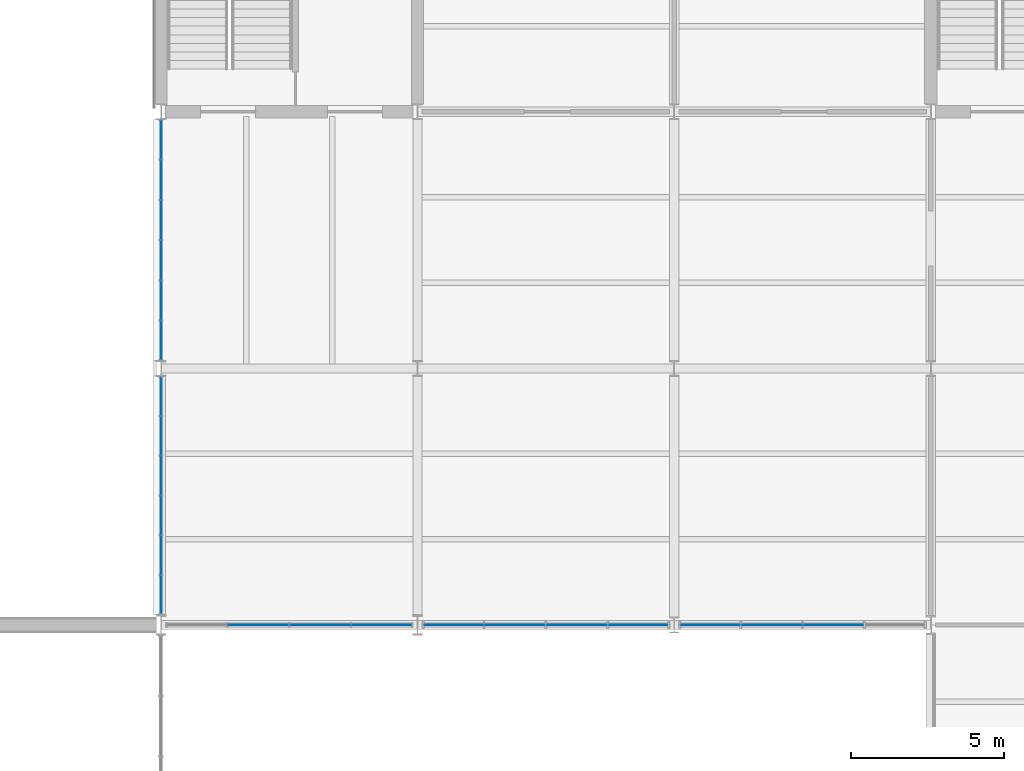
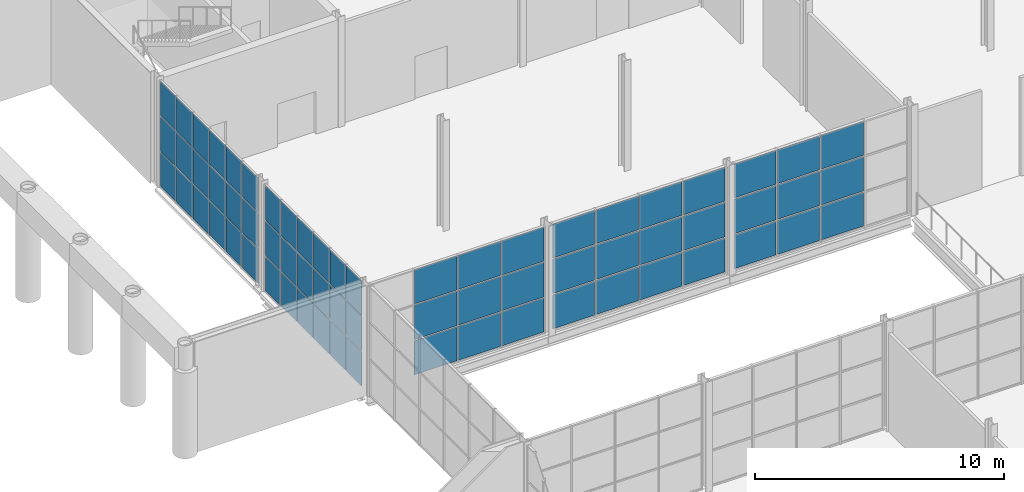
# One storey, part 34 of 64: 66 plates, 5 elements without a shape of their own.
"""IFC4 building model written with IfcOpenShell, lengths in metres."""

from ifc_helpers import new_model, si_unit, direction, frame, origin, origin_2d, place, context, subcontext, project, spatial, rectangle, extrude, material, layer, layer_set, type_object, element, aggregate, save


model = new_model("IFC4")

# Units and contexts
model_context = context("Model", 3, precision=1e-05, world=origin(), true_north=direction((0.0, 1.0)))
body_context = subcontext(model_context, "Body", "Model", "MODEL_VIEW")
ifc_project = project(units=[si_unit("LENGTHUNIT", "METRE"), si_unit("AREAUNIT", "SQUARE_METRE"), si_unit("VOLUMEUNIT", "CUBIC_METRE"), si_unit("PLANEANGLEUNIT", "RADIAN"), si_unit("MASSUNIT", "GRAM", prefix="KILO")], contexts=[model_context])

# Site, building, storey
site_placement = place(None, origin())
site = spatial("IfcSite", under=ifc_project, at=site_placement, CompositionType="ELEMENT")
building_placement = place(site_placement, origin())
building = spatial("IfcBuilding", under=site, at=building_placement, Name="Galleria Vessillo Department Store", CompositionType="ELEMENT")
storey_placement = place(building_placement, frame((0.0, 0.0, 6.0)))
storey = spatial("IfcBuildingStorey", under=building, at=storey_placement, Name="L01", CompositionType="ELEMENT", Elevation=6.0)

# Curtain wall, plates
ifc_material_1 = material(Name="Aluminium and glass curtain wall", Category="aluminium")
ifc_layer_1 = layer(ifc_material_1, 0.1201171875)
ifc_layer_set_1 = layer_set([ifc_layer_1], Name="Aluminium and glass curtain wall")
curtain_wall_type_1 = type_object("IfcCurtainWallType", Name="Shopfront curtain wall CW3 1400 module", PredefinedType="NOTDEFINED", material=ifc_layer_set_1)
curtain_wall_1_placement = place(storey_placement, origin())
curtain_wall_1 = element("IfcCurtainWall", 1, at=curtain_wall_1_placement, inside=storey, type_object=curtain_wall_type_1, Name="Shopfront curtain wall CW3 1400 module LB-N-L01-01", PredefinedType="NOTDEFINED")
ifc_material_2 = material(Name="Glass laminated 44.2 low-e", Category="glass")
ifc_layer_2 = layer(ifc_material_2, 0.02392578125)
ifc_layer_set_2 = layer_set([ifc_layer_2], Name="Glass laminated 44.2 low-e")
plate_type_1 = type_object("IfcPlateType", Name="Laminated glass panel 24 mm", PredefinedType="CURTAIN_PANEL", material=ifc_layer_set_2)
plate_1_placement = place(storey_placement, frame((8.39990234375, 38.7978515625, 1.77490234375), z_axis=(0.0, 0.0, 1.0), x_axis=(0.0, 1.0, 0.0)))
plate_1 = element("IfcPlate", 2, at=plate_1_placement, type_object=plate_type_1, Name="CW3 panel 1.2", PredefinedType="CURTAIN_PANEL", context=body_context, shape_type="SweptSolid", body=[
    extrude(rectangle(XDim=1.2275390625, YDim=0.02392578125, at=origin_2d()), origin(), (0.0, 0.0, 1.0), 1.699951171875),
])
plate_2_placement = place(storey_placement, frame((8.39990234375, 38.7978515625, 3.52490234375), z_axis=(0.0, 0.0, 1.0), x_axis=(0.0, 1.0, 0.0)))
plate_2 = element("IfcPlate", 3, at=plate_2_placement, type_object=plate_type_1, Name="CW3 panel 1.3", PredefinedType="CURTAIN_PANEL", context=body_context, shape_type="SweptSolid", body=[
    extrude(rectangle(XDim=1.2275390625, YDim=0.02392578125, at=origin_2d()), origin(), (0.0, 0.0, 1.0), 1.675048828125),
])
plate_3_placement = place(storey_placement, frame((8.39990234375, 40.087890625, 1.77490234375), z_axis=(0.0, 0.0, 1.0), x_axis=(0.0, 1.0, 0.0)))
plate_3 = element("IfcPlate", 4, at=plate_3_placement, type_object=plate_type_1, Name="CW3 panel 2.2", PredefinedType="CURTAIN_PANEL", context=body_context, shape_type="SweptSolid", body=[
    extrude(rectangle(XDim=1.252685546875, YDim=0.02392578125, at=origin_2d()), origin(), (0.0, 0.0, 1.0), 1.699951171875),
])
plate_4_placement = place(storey_placement, frame((8.39990234375, 40.087890625, 3.52490234375), z_axis=(0.0, 0.0, 1.0), x_axis=(0.0, 1.0, 0.0)))
plate_4 = element("IfcPlate", 5, at=plate_4_placement, type_object=plate_type_1, Name="CW3 panel 2.3", PredefinedType="CURTAIN_PANEL", context=body_context, shape_type="SweptSolid", body=[
    extrude(rectangle(XDim=1.252685546875, YDim=0.02392578125, at=origin_2d()), origin(), (0.0, 0.0, 1.0), 1.675048828125),
])
plate_5_placement = place(storey_placement, frame((8.39990234375, 41.390625, 1.77490234375), z_axis=(0.0, 0.0, 1.0), x_axis=(0.0, 1.0, 0.0)))
plate_5 = element("IfcPlate", 6, at=plate_5_placement, type_object=plate_type_1, Name="CW3 panel 3.2", PredefinedType="CURTAIN_PANEL", context=body_context, shape_type="SweptSolid", body=[
    extrude(rectangle(XDim=1.252685546875, YDim=0.02392578125, at=origin_2d()), origin(), (0.0, 0.0, 1.0), 1.699951171875),
])
plate_6_placement = place(storey_placement, frame((8.39990234375, 41.390625, 3.52490234375), z_axis=(0.0, 0.0, 1.0), x_axis=(0.0, 1.0, 0.0)))
plate_6 = element("IfcPlate", 7, at=plate_6_placement, type_object=plate_type_1, Name="CW3 panel 3.3", PredefinedType="CURTAIN_PANEL", context=body_context, shape_type="SweptSolid", body=[
    extrude(rectangle(XDim=1.252685546875, YDim=0.02392578125, at=origin_2d()), origin(), (0.0, 0.0, 1.0), 1.675048828125),
])
plate_7_placement = place(storey_placement, frame((8.39990234375, 42.693359375, 1.77490234375), z_axis=(0.0, 0.0, 1.0), x_axis=(0.0, 1.0, 0.0)))
plate_7 = element("IfcPlate", 8, at=plate_7_placement, type_object=plate_type_1, Name="CW3 panel 4.2", PredefinedType="CURTAIN_PANEL", context=body_context, shape_type="SweptSolid", body=[
    extrude(rectangle(XDim=1.252685546875, YDim=0.02392578125, at=origin_2d()), origin(), (0.0, 0.0, 1.0), 1.699951171875),
])
plate_8_placement = place(storey_placement, frame((8.39990234375, 42.693359375, 3.52490234375), z_axis=(0.0, 0.0, 1.0), x_axis=(0.0, 1.0, 0.0)))
plate_8 = element("IfcPlate", 9, at=plate_8_placement, type_object=plate_type_1, Name="CW3 panel 4.3", PredefinedType="CURTAIN_PANEL", context=body_context, shape_type="SweptSolid", body=[
    extrude(rectangle(XDim=1.252685546875, YDim=0.02392578125, at=origin_2d()), origin(), (0.0, 0.0, 1.0), 1.675048828125),
])
plate_9_placement = place(storey_placement, frame((8.39990234375, 43.99609375, 1.77490234375), z_axis=(0.0, 0.0, 1.0), x_axis=(0.0, 1.0, 0.0)))
plate_9 = element("IfcPlate", 10, at=plate_9_placement, type_object=plate_type_1, Name="CW3 panel 5.2", PredefinedType="CURTAIN_PANEL", context=body_context, shape_type="SweptSolid", body=[
    extrude(rectangle(XDim=1.252685546875, YDim=0.02392578125, at=origin_2d()), origin(), (0.0, 0.0, 1.0), 1.699951171875),
])
plate_10_placement = place(storey_placement, frame((8.39990234375, 43.99609375, 3.52490234375), z_axis=(0.0, 0.0, 1.0), x_axis=(0.0, 1.0, 0.0)))
plate_10 = element("IfcPlate", 11, at=plate_10_placement, type_object=plate_type_1, Name="CW3 panel 5.3", PredefinedType="CURTAIN_PANEL", context=body_context, shape_type="SweptSolid", body=[
    extrude(rectangle(XDim=1.252685546875, YDim=0.02392578125, at=origin_2d()), origin(), (0.0, 0.0, 1.0), 1.675048828125),
])
plate_11_placement = place(storey_placement, frame((8.39990234375, 45.2861328125, 1.77490234375), z_axis=(0.0, 0.0, 1.0), x_axis=(0.0, 1.0, 0.0)))
plate_11 = element("IfcPlate", 12, at=plate_11_placement, type_object=plate_type_1, Name="CW3 panel 6.2", PredefinedType="CURTAIN_PANEL", context=body_context, shape_type="SweptSolid", body=[
    extrude(rectangle(XDim=1.2275390625, YDim=0.02392578125, at=origin_2d()), origin(), (0.0, 0.0, 1.0), 1.699951171875),
])
plate_12_placement = place(storey_placement, frame((8.39990234375, 45.2861328125, 3.52490234375), z_axis=(0.0, 0.0, 1.0), x_axis=(0.0, 1.0, 0.0)))
plate_12 = element("IfcPlate", 13, at=plate_12_placement, type_object=plate_type_1, Name="CW3 panel 6.3", PredefinedType="CURTAIN_PANEL", context=body_context, shape_type="SweptSolid", body=[
    extrude(rectangle(XDim=1.2275390625, YDim=0.02392578125, at=origin_2d()), origin(), (0.0, 0.0, 1.0), 1.675048828125),
])

curtain_wall_2_placement = place(storey_placement, origin())
curtain_wall_2 = element("IfcCurtainWall", 14, at=curtain_wall_2_placement, inside=storey, type_object=curtain_wall_type_1, Name="Shopfront curtain wall CW3 1400 module LB-N-L01-02", PredefinedType="NOTDEFINED")
plate_13_placement = place(storey_placement, frame((8.39990234375, 47.120849609375, 1.77490234375), z_axis=(0.0, 0.0, 1.0), x_axis=(0.0, 1.0, 0.0)))
plate_13 = element("IfcPlate", 15, at=plate_13_placement, type_object=plate_type_1, Name="CW3 panel 1.2", PredefinedType="CURTAIN_PANEL", context=body_context, shape_type="SweptSolid", body=[
    extrude(rectangle(XDim=1.24169921875, YDim=0.02392578125, at=origin_2d()), origin(), (0.0, 0.0, 1.0), 1.699951171875),
])
plate_14_placement = place(storey_placement, frame((8.39990234375, 47.120849609375, 3.52490234375), z_axis=(0.0, 0.0, 1.0), x_axis=(0.0, 1.0, 0.0)))
plate_14 = element("IfcPlate", 16, at=plate_14_placement, type_object=plate_type_1, Name="CW3 panel 1.3", PredefinedType="CURTAIN_PANEL", context=body_context, shape_type="SweptSolid", body=[
    extrude(rectangle(XDim=1.24169921875, YDim=0.02392578125, at=origin_2d()), origin(), (0.0, 0.0, 1.0), 1.675048828125),
])
plate_15_placement = place(storey_placement, frame((8.39990234375, 48.425048828125, 1.77490234375), z_axis=(0.0, 0.0, 1.0), x_axis=(0.0, 1.0, 0.0)))
plate_15 = element("IfcPlate", 17, at=plate_15_placement, type_object=plate_type_1, Name="CW3 panel 2.2", PredefinedType="CURTAIN_PANEL", context=body_context, shape_type="SweptSolid", body=[
    extrude(rectangle(XDim=1.2666015625, YDim=0.02392578125, at=origin_2d()), origin(), (0.0, 0.0, 1.0), 1.699951171875),
])
plate_16_placement = place(storey_placement, frame((8.39990234375, 48.425048828125, 3.52490234375), z_axis=(0.0, 0.0, 1.0), x_axis=(0.0, 1.0, 0.0)))
plate_16 = element("IfcPlate", 18, at=plate_16_placement, type_object=plate_type_1, Name="CW3 panel 2.3", PredefinedType="CURTAIN_PANEL", context=body_context, shape_type="SweptSolid", body=[
    extrude(rectangle(XDim=1.2666015625, YDim=0.02392578125, at=origin_2d()), origin(), (0.0, 0.0, 1.0), 1.675048828125),
])
plate_17_placement = place(storey_placement, frame((8.39990234375, 49.74169921875, 1.77490234375), z_axis=(0.0, 0.0, 1.0), x_axis=(0.0, 1.0, 0.0)))
plate_17 = element("IfcPlate", 19, at=plate_17_placement, type_object=plate_type_1, Name="CW3 panel 3.2", PredefinedType="CURTAIN_PANEL", context=body_context, shape_type="SweptSolid", body=[
    extrude(rectangle(XDim=1.2666015625, YDim=0.02392578125, at=origin_2d()), origin(), (0.0, 0.0, 1.0), 1.699951171875),
])
plate_18_placement = place(storey_placement, frame((8.39990234375, 49.74169921875, 3.52490234375), z_axis=(0.0, 0.0, 1.0), x_axis=(0.0, 1.0, 0.0)))
plate_18 = element("IfcPlate", 20, at=plate_18_placement, type_object=plate_type_1, Name="CW3 panel 3.3", PredefinedType="CURTAIN_PANEL", context=body_context, shape_type="SweptSolid", body=[
    extrude(rectangle(XDim=1.2666015625, YDim=0.02392578125, at=origin_2d()), origin(), (0.0, 0.0, 1.0), 1.675048828125),
])
plate_19_placement = place(storey_placement, frame((8.39990234375, 51.058349609375, 1.77490234375), z_axis=(0.0, 0.0, 1.0), x_axis=(0.0, 1.0, 0.0)))
plate_19 = element("IfcPlate", 21, at=plate_19_placement, type_object=plate_type_1, Name="CW3 panel 4.2", PredefinedType="CURTAIN_PANEL", context=body_context, shape_type="SweptSolid", body=[
    extrude(rectangle(XDim=1.2666015625, YDim=0.02392578125, at=origin_2d()), origin(), (0.0, 0.0, 1.0), 1.699951171875),
])
plate_20_placement = place(storey_placement, frame((8.39990234375, 51.058349609375, 3.52490234375), z_axis=(0.0, 0.0, 1.0), x_axis=(0.0, 1.0, 0.0)))
plate_20 = element("IfcPlate", 22, at=plate_20_placement, type_object=plate_type_1, Name="CW3 panel 4.3", PredefinedType="CURTAIN_PANEL", context=body_context, shape_type="SweptSolid", body=[
    extrude(rectangle(XDim=1.2666015625, YDim=0.02392578125, at=origin_2d()), origin(), (0.0, 0.0, 1.0), 1.675048828125),
])
plate_21_placement = place(storey_placement, frame((8.39990234375, 52.375, 1.77490234375), z_axis=(0.0, 0.0, 1.0), x_axis=(0.0, 1.0, 0.0)))
plate_21 = element("IfcPlate", 23, at=plate_21_placement, type_object=plate_type_1, Name="CW3 panel 5.2", PredefinedType="CURTAIN_PANEL", context=body_context, shape_type="SweptSolid", body=[
    extrude(rectangle(XDim=1.2666015625, YDim=0.02392578125, at=origin_2d()), origin(), (0.0, 0.0, 1.0), 1.699951171875),
])
plate_22_placement = place(storey_placement, frame((8.39990234375, 52.375, 3.52490234375), z_axis=(0.0, 0.0, 1.0), x_axis=(0.0, 1.0, 0.0)))
plate_22 = element("IfcPlate", 24, at=plate_22_placement, type_object=plate_type_1, Name="CW3 panel 5.3", PredefinedType="CURTAIN_PANEL", context=body_context, shape_type="SweptSolid", body=[
    extrude(rectangle(XDim=1.2666015625, YDim=0.02392578125, at=origin_2d()), origin(), (0.0, 0.0, 1.0), 1.675048828125),
])
plate_23_placement = place(storey_placement, frame((8.39990234375, 53.67919921875, 1.77490234375), z_axis=(0.0, 0.0, 1.0), x_axis=(0.0, 1.0, 0.0)))
plate_23 = element("IfcPlate", 25, at=plate_23_placement, type_object=plate_type_1, Name="CW3 panel 6.2", PredefinedType="CURTAIN_PANEL", context=body_context, shape_type="SweptSolid", body=[
    extrude(rectangle(XDim=1.24169921875, YDim=0.02392578125, at=origin_2d()), origin(), (0.0, 0.0, 1.0), 1.699951171875),
])
plate_24_placement = place(storey_placement, frame((8.39990234375, 53.67919921875, 3.52490234375), z_axis=(0.0, 0.0, 1.0), x_axis=(0.0, 1.0, 0.0)))
plate_24 = element("IfcPlate", 26, at=plate_24_placement, type_object=plate_type_1, Name="CW3 panel 6.3", PredefinedType="CURTAIN_PANEL", context=body_context, shape_type="SweptSolid", body=[
    extrude(rectangle(XDim=1.24169921875, YDim=0.02392578125, at=origin_2d()), origin(), (0.0, 0.0, 1.0), 1.675048828125),
])

ifc_material_3 = material(Name="Aluminium and glass curtain wall", Category="aluminium")
ifc_layer_3 = layer(ifc_material_3, 0.159912109375)
ifc_layer_set_3 = layer_set([ifc_layer_3], Name="Aluminium and glass curtain wall")
curtain_wall_type_2 = type_object("IfcCurtainWallType", Name="Arcade portal glazing CW2 2100 module", PredefinedType="NOTDEFINED", material=ifc_layer_set_3)
curtain_wall_3_placement = place(storey_placement, origin())
curtain_wall_3 = element("IfcCurtainWall", 27, at=curtain_wall_3_placement, inside=storey, type_object=curtain_wall_type_2, Name="Arcade portal glazing CW2 2100 module PW-W-N-L01-01", PredefinedType="NOTDEFINED")
ifc_material_4 = material(Name="Glass laminated 44.2 low-e", Category="glass")
ifc_layer_4 = layer(ifc_material_4, 0.028076171875)
ifc_layer_set_4 = layer_set([ifc_layer_4], Name="Glass laminated 44.2 low-e")
plate_type_2 = type_object("IfcPlateType", Name="Laminated glass panel 28 mm", PredefinedType="CURTAIN_PANEL", material=ifc_layer_set_4)
plate_25_placement = place(storey_placement, frame((11.588134765625, 37.800048828125, 0.06005859375), z_axis=(0.0, 0.0, 1.0), x_axis=(1.0, 0.0, 0.0)))
plate_25 = element("IfcPlate", 28, at=plate_25_placement, type_object=plate_type_2, Name="CW2 panel 2.1", PredefinedType="CURTAIN_PANEL", context=body_context, shape_type="SweptSolid", body=[
    extrude(rectangle(XDim=1.9736328125, YDim=0.028076171875, at=origin_2d()), origin(), (0.0, 0.0, 1.0), 1.659912109375),
])
plate_26_placement = place(storey_placement, frame((11.588134765625, 37.800048828125, 1.780029296875), z_axis=(0.0, 0.0, 1.0), x_axis=(1.0, 0.0, 0.0)))
plate_26 = element("IfcPlate", 29, at=plate_26_placement, type_object=plate_type_2, Name="CW2 panel 2.2", PredefinedType="CURTAIN_PANEL", context=body_context, shape_type="SweptSolid", body=[
    extrude(rectangle(XDim=1.9736328125, YDim=0.028076171875, at=origin_2d()), origin(), (0.0, 0.0, 1.0), 1.68994140625),
])
plate_27_placement = place(storey_placement, frame((11.588134765625, 37.800048828125, 3.5302734375), z_axis=(0.0, 0.0, 1.0), x_axis=(1.0, 0.0, 0.0)))
plate_27 = element("IfcPlate", 30, at=plate_27_placement, type_object=plate_type_2, Name="CW2 panel 2.3", PredefinedType="CURTAIN_PANEL", context=body_context, shape_type="SweptSolid", body=[
    extrude(rectangle(XDim=1.9736328125, YDim=0.028076171875, at=origin_2d()), origin(), (0.0, 0.0, 1.0), 1.659912109375),
])
plate_28_placement = place(storey_placement, frame((13.61181640625, 37.800048828125, 0.06005859375), z_axis=(0.0, 0.0, 1.0), x_axis=(1.0, 0.0, 0.0)))
plate_28 = element("IfcPlate", 31, at=plate_28_placement, type_object=plate_type_2, Name="CW2 panel 3.1", PredefinedType="CURTAIN_PANEL", context=body_context, shape_type="SweptSolid", body=[
    extrude(rectangle(XDim=1.9736328125, YDim=0.028076171875, at=origin_2d()), origin(), (0.0, 0.0, 1.0), 1.659912109375),
])
plate_29_placement = place(storey_placement, frame((13.61181640625, 37.800048828125, 1.780029296875), z_axis=(0.0, 0.0, 1.0), x_axis=(1.0, 0.0, 0.0)))
plate_29 = element("IfcPlate", 32, at=plate_29_placement, type_object=plate_type_2, Name="CW2 panel 3.2", PredefinedType="CURTAIN_PANEL", context=body_context, shape_type="SweptSolid", body=[
    extrude(rectangle(XDim=1.9736328125, YDim=0.028076171875, at=origin_2d()), origin(), (0.0, 0.0, 1.0), 1.68994140625),
])
plate_30_placement = place(storey_placement, frame((13.61181640625, 37.800048828125, 3.5302734375), z_axis=(0.0, 0.0, 1.0), x_axis=(1.0, 0.0, 0.0)))
plate_30 = element("IfcPlate", 33, at=plate_30_placement, type_object=plate_type_2, Name="CW2 panel 3.3", PredefinedType="CURTAIN_PANEL", context=body_context, shape_type="SweptSolid", body=[
    extrude(rectangle(XDim=1.9736328125, YDim=0.028076171875, at=origin_2d()), origin(), (0.0, 0.0, 1.0), 1.659912109375),
])
plate_31_placement = place(storey_placement, frame((15.623046875, 37.800048828125, 0.06005859375), z_axis=(0.0, 0.0, 1.0), x_axis=(1.0, 0.0, 0.0)))
plate_31 = element("IfcPlate", 34, at=plate_31_placement, type_object=plate_type_2, Name="CW2 panel 4.1", PredefinedType="CURTAIN_PANEL", context=body_context, shape_type="SweptSolid", body=[
    extrude(rectangle(XDim=1.94873046875, YDim=0.028076171875, at=origin_2d()), origin(), (0.0, 0.0, 1.0), 1.659912109375),
])
plate_32_placement = place(storey_placement, frame((15.623046875, 37.800048828125, 1.780029296875), z_axis=(0.0, 0.0, 1.0), x_axis=(1.0, 0.0, 0.0)))
plate_32 = element("IfcPlate", 35, at=plate_32_placement, type_object=plate_type_2, Name="CW2 panel 4.2", PredefinedType="CURTAIN_PANEL", context=body_context, shape_type="SweptSolid", body=[
    extrude(rectangle(XDim=1.94873046875, YDim=0.028076171875, at=origin_2d()), origin(), (0.0, 0.0, 1.0), 1.68994140625),
])
plate_33_placement = place(storey_placement, frame((15.623046875, 37.800048828125, 3.5302734375), z_axis=(0.0, 0.0, 1.0), x_axis=(1.0, 0.0, 0.0)))
plate_33 = element("IfcPlate", 36, at=plate_33_placement, type_object=plate_type_2, Name="CW2 panel 4.3", PredefinedType="CURTAIN_PANEL", context=body_context, shape_type="SweptSolid", body=[
    extrude(rectangle(XDim=1.94873046875, YDim=0.028076171875, at=origin_2d()), origin(), (0.0, 0.0, 1.0), 1.659912109375),
])
aggregate(curtain_wall_3, [plate_25, plate_26, plate_27, plate_28, plate_29, plate_30, plate_31, plate_32, plate_33])

ifc_material_5 = material(Name="Aluminium and glass curtain wall", Category="aluminium")
ifc_layer_5 = layer(ifc_material_5, 0.199951171875)
ifc_layer_set_5 = layer_set([ifc_layer_5], Name="Aluminium and glass curtain wall")
curtain_wall_type_3 = type_object("IfcCurtainWallType", Name="Arcade curtain wall CW1 2100 module", PredefinedType="NOTDEFINED", material=ifc_layer_set_5)
curtain_wall_4_placement = place(storey_placement, origin())
curtain_wall_4 = element("IfcCurtainWall", 37, at=curtain_wall_4_placement, inside=storey, type_object=curtain_wall_type_3, Name="Arcade curtain wall CW1 2100 module AI-AW-N-L01-01", PredefinedType="NOTDEFINED")
ifc_material_6 = material(Name="Glass laminated 44.2 low-e", Category="glass")
ifc_layer_6 = layer(ifc_material_6, 0.031982421875)
ifc_layer_set_6 = layer_set([ifc_layer_6], Name="Glass laminated 44.2 low-e")
plate_type_3 = type_object("IfcPlateType", Name="Laminated glass panel 32 mm", PredefinedType="CURTAIN_PANEL", material=ifc_layer_set_6)
plate_34_placement = place(storey_placement, frame((17.9794921875, 37.800048828125, 0.070068359375), z_axis=(0.0, 0.0, 1.0), x_axis=(1.0, 0.0, 0.0)))
plate_34 = element("IfcPlate", 38, at=plate_34_placement, type_object=plate_type_3, Name="CW1 panel 1.1", PredefinedType="CURTAIN_PANEL", context=body_context, shape_type="SweptSolid", body=[
    extrude(rectangle(XDim=1.93359375, YDim=0.031982421875, at=origin_2d()), origin(), (0.0, 0.0, 1.0), 1.64501953125),
])
plate_35_placement = place(storey_placement, frame((17.9794921875, 37.800048828125, 1.78515625), z_axis=(0.0, 0.0, 1.0), x_axis=(1.0, 0.0, 0.0)))
plate_35 = element("IfcPlate", 39, at=plate_35_placement, type_object=plate_type_3, Name="CW1 panel 1.2", PredefinedType="CURTAIN_PANEL", context=body_context, shape_type="SweptSolid", body=[
    extrude(rectangle(XDim=1.93359375, YDim=0.031982421875, at=origin_2d()), origin(), (0.0, 0.0, 1.0), 1.679931640625),
])
plate_36_placement = place(storey_placement, frame((17.9794921875, 37.800048828125, 3.534912109375), z_axis=(0.0, 0.0, 1.0), x_axis=(1.0, 0.0, 0.0)))
plate_36 = element("IfcPlate", 40, at=plate_36_placement, type_object=plate_type_3, Name="CW1 panel 1.3", PredefinedType="CURTAIN_PANEL", context=body_context, shape_type="SweptSolid", body=[
    extrude(rectangle(XDim=1.93359375, YDim=0.031982421875, at=origin_2d()), origin(), (0.0, 0.0, 1.0), 1.64501953125),
])
plate_37_placement = place(storey_placement, frame((19.988037109375, 37.800048828125, 0.070068359375), z_axis=(0.0, 0.0, 1.0), x_axis=(1.0, 0.0, 0.0)))
plate_37 = element("IfcPlate", 41, at=plate_37_placement, type_object=plate_type_3, Name="CW1 panel 2.1", PredefinedType="CURTAIN_PANEL", context=body_context, shape_type="SweptSolid", body=[
    extrude(rectangle(XDim=1.963623046875, YDim=0.031982421875, at=origin_2d()), origin(), (0.0, 0.0, 1.0), 1.64501953125),
])
plate_38_placement = place(storey_placement, frame((19.988037109375, 37.800048828125, 1.78515625), z_axis=(0.0, 0.0, 1.0), x_axis=(1.0, 0.0, 0.0)))
plate_38 = element("IfcPlate", 42, at=plate_38_placement, type_object=plate_type_3, Name="CW1 panel 2.2", PredefinedType="CURTAIN_PANEL", context=body_context, shape_type="SweptSolid", body=[
    extrude(rectangle(XDim=1.963623046875, YDim=0.031982421875, at=origin_2d()), origin(), (0.0, 0.0, 1.0), 1.679931640625),
])
plate_39_placement = place(storey_placement, frame((19.988037109375, 37.800048828125, 3.534912109375), z_axis=(0.0, 0.0, 1.0), x_axis=(1.0, 0.0, 0.0)))
plate_39 = element("IfcPlate", 43, at=plate_39_placement, type_object=plate_type_3, Name="CW1 panel 2.3", PredefinedType="CURTAIN_PANEL", context=body_context, shape_type="SweptSolid", body=[
    extrude(rectangle(XDim=1.963623046875, YDim=0.031982421875, at=origin_2d()), origin(), (0.0, 0.0, 1.0), 1.64501953125),
])
plate_40_placement = place(storey_placement, frame((22.011474609375, 37.800048828125, 0.070068359375), z_axis=(0.0, 0.0, 1.0), x_axis=(1.0, 0.0, 0.0)))
plate_40 = element("IfcPlate", 44, at=plate_40_placement, type_object=plate_type_3, Name="CW1 panel 3.1", PredefinedType="CURTAIN_PANEL", context=body_context, shape_type="SweptSolid", body=[
    extrude(rectangle(XDim=1.963623046875, YDim=0.031982421875, at=origin_2d()), origin(), (0.0, 0.0, 1.0), 1.64501953125),
])
plate_41_placement = place(storey_placement, frame((22.011474609375, 37.800048828125, 1.78515625), z_axis=(0.0, 0.0, 1.0), x_axis=(1.0, 0.0, 0.0)))
plate_41 = element("IfcPlate", 45, at=plate_41_placement, type_object=plate_type_3, Name="CW1 panel 3.2", PredefinedType="CURTAIN_PANEL", context=body_context, shape_type="SweptSolid", body=[
    extrude(rectangle(XDim=1.963623046875, YDim=0.031982421875, at=origin_2d()), origin(), (0.0, 0.0, 1.0), 1.679931640625),
])
plate_42_placement = place(storey_placement, frame((22.011474609375, 37.800048828125, 3.534912109375), z_axis=(0.0, 0.0, 1.0), x_axis=(1.0, 0.0, 0.0)))
plate_42 = element("IfcPlate", 46, at=plate_42_placement, type_object=plate_type_3, Name="CW1 panel 3.3", PredefinedType="CURTAIN_PANEL", context=body_context, shape_type="SweptSolid", body=[
    extrude(rectangle(XDim=1.963623046875, YDim=0.031982421875, at=origin_2d()), origin(), (0.0, 0.0, 1.0), 1.64501953125),
])
plate_43_placement = place(storey_placement, frame((24.02001953125, 37.800048828125, 0.070068359375), z_axis=(0.0, 0.0, 1.0), x_axis=(1.0, 0.0, 0.0)))
plate_43 = element("IfcPlate", 47, at=plate_43_placement, type_object=plate_type_3, Name="CW1 panel 4.1", PredefinedType="CURTAIN_PANEL", context=body_context, shape_type="SweptSolid", body=[
    extrude(rectangle(XDim=1.93359375, YDim=0.031982421875, at=origin_2d()), origin(), (0.0, 0.0, 1.0), 1.64501953125),
])
plate_44_placement = place(storey_placement, frame((24.02001953125, 37.800048828125, 1.78515625), z_axis=(0.0, 0.0, 1.0), x_axis=(1.0, 0.0, 0.0)))
plate_44 = element("IfcPlate", 48, at=plate_44_placement, type_object=plate_type_3, Name="CW1 panel 4.2", PredefinedType="CURTAIN_PANEL", context=body_context, shape_type="SweptSolid", body=[
    extrude(rectangle(XDim=1.93359375, YDim=0.031982421875, at=origin_2d()), origin(), (0.0, 0.0, 1.0), 1.679931640625),
])
plate_45_placement = place(storey_placement, frame((24.02001953125, 37.800048828125, 3.534912109375), z_axis=(0.0, 0.0, 1.0), x_axis=(1.0, 0.0, 0.0)))
plate_45 = element("IfcPlate", 49, at=plate_45_placement, type_object=plate_type_3, Name="CW1 panel 4.3", PredefinedType="CURTAIN_PANEL", context=body_context, shape_type="SweptSolid", body=[
    extrude(rectangle(XDim=1.93359375, YDim=0.031982421875, at=origin_2d()), origin(), (0.0, 0.0, 1.0), 1.64501953125),
])
aggregate(curtain_wall_4, [plate_34, plate_35, plate_36, plate_37, plate_38, plate_39, plate_40, plate_41, plate_42, plate_43, plate_44, plate_45])

curtain_wall_5_placement = place(storey_placement, origin())
curtain_wall_5 = element("IfcCurtainWall", 50, at=curtain_wall_5_placement, inside=storey, type_object=curtain_wall_type_3, Name="Arcade curtain wall CW1 2100 module AI-AW-N-L01-02", PredefinedType="NOTDEFINED")
plate_46_placement = place(storey_placement, frame((26.3798828125, 37.800048828125, 0.070068359375), z_axis=(0.0, 0.0, 1.0), x_axis=(1.0, 0.0, 0.0)))
plate_46 = element("IfcPlate", 51, at=plate_46_placement, type_object=plate_type_3, Name="CW1 panel 1.1", PredefinedType="CURTAIN_PANEL", context=body_context, shape_type="SweptSolid", body=[
    extrude(rectangle(XDim=1.93359375, YDim=0.031982421875, at=origin_2d()), origin(), (0.0, 0.0, 1.0), 1.64501953125),
])
plate_47_placement = place(storey_placement, frame((26.3798828125, 37.800048828125, 1.78515625), z_axis=(0.0, 0.0, 1.0), x_axis=(1.0, 0.0, 0.0)))
plate_47 = element("IfcPlate", 52, at=plate_47_placement, type_object=plate_type_3, Name="CW1 panel 1.2", PredefinedType="CURTAIN_PANEL", context=body_context, shape_type="SweptSolid", body=[
    extrude(rectangle(XDim=1.93359375, YDim=0.031982421875, at=origin_2d()), origin(), (0.0, 0.0, 1.0), 1.679931640625),
])
plate_48_placement = place(storey_placement, frame((26.3798828125, 37.800048828125, 3.534912109375), z_axis=(0.0, 0.0, 1.0), x_axis=(1.0, 0.0, 0.0)))
plate_48 = element("IfcPlate", 53, at=plate_48_placement, type_object=plate_type_3, Name="CW1 panel 1.3", PredefinedType="CURTAIN_PANEL", context=body_context, shape_type="SweptSolid", body=[
    extrude(rectangle(XDim=1.93359375, YDim=0.031982421875, at=origin_2d()), origin(), (0.0, 0.0, 1.0), 1.64501953125),
])
plate_49_placement = place(storey_placement, frame((28.388427734375, 37.800048828125, 0.070068359375), z_axis=(0.0, 0.0, 1.0), x_axis=(1.0, 0.0, 0.0)))
plate_49 = element("IfcPlate", 54, at=plate_49_placement, type_object=plate_type_3, Name="CW1 panel 2.1", PredefinedType="CURTAIN_PANEL", context=body_context, shape_type="SweptSolid", body=[
    extrude(rectangle(XDim=1.963623046875, YDim=0.031982421875, at=origin_2d()), origin(), (0.0, 0.0, 1.0), 1.64501953125),
])
plate_50_placement = place(storey_placement, frame((28.388427734375, 37.800048828125, 1.78515625), z_axis=(0.0, 0.0, 1.0), x_axis=(1.0, 0.0, 0.0)))
plate_50 = element("IfcPlate", 55, at=plate_50_placement, type_object=plate_type_3, Name="CW1 panel 2.2", PredefinedType="CURTAIN_PANEL", context=body_context, shape_type="SweptSolid", body=[
    extrude(rectangle(XDim=1.963623046875, YDim=0.031982421875, at=origin_2d()), origin(), (0.0, 0.0, 1.0), 1.679931640625),
])
plate_51_placement = place(storey_placement, frame((28.388427734375, 37.800048828125, 3.534912109375), z_axis=(0.0, 0.0, 1.0), x_axis=(1.0, 0.0, 0.0)))
plate_51 = element("IfcPlate", 56, at=plate_51_placement, type_object=plate_type_3, Name="CW1 panel 2.3", PredefinedType="CURTAIN_PANEL", context=body_context, shape_type="SweptSolid", body=[
    extrude(rectangle(XDim=1.963623046875, YDim=0.031982421875, at=origin_2d()), origin(), (0.0, 0.0, 1.0), 1.64501953125),
])
plate_52_placement = place(storey_placement, frame((30.412109375, 37.800048828125, 0.070068359375), z_axis=(0.0, 0.0, 1.0), x_axis=(1.0, 0.0, 0.0)))
plate_52 = element("IfcPlate", 57, at=plate_52_placement, type_object=plate_type_3, Name="CW1 panel 3.1", PredefinedType="CURTAIN_PANEL", context=body_context, shape_type="SweptSolid", body=[
    extrude(rectangle(XDim=1.963623046875, YDim=0.031982421875, at=origin_2d()), origin(), (0.0, 0.0, 1.0), 1.64501953125),
])
plate_53_placement = place(storey_placement, frame((30.412109375, 37.800048828125, 1.78515625), z_axis=(0.0, 0.0, 1.0), x_axis=(1.0, 0.0, 0.0)))
plate_53 = element("IfcPlate", 58, at=plate_53_placement, type_object=plate_type_3, Name="CW1 panel 3.2", PredefinedType="CURTAIN_PANEL", context=body_context, shape_type="SweptSolid", body=[
    extrude(rectangle(XDim=1.963623046875, YDim=0.031982421875, at=origin_2d()), origin(), (0.0, 0.0, 1.0), 1.679931640625),
])
plate_54_placement = place(storey_placement, frame((30.412109375, 37.800048828125, 3.534912109375), z_axis=(0.0, 0.0, 1.0), x_axis=(1.0, 0.0, 0.0)))
plate_54 = element("IfcPlate", 59, at=plate_54_placement, type_object=plate_type_3, Name="CW1 panel 3.3", PredefinedType="CURTAIN_PANEL", context=body_context, shape_type="SweptSolid", body=[
    extrude(rectangle(XDim=1.963623046875, YDim=0.031982421875, at=origin_2d()), origin(), (0.0, 0.0, 1.0), 1.64501953125),
])
aggregate(curtain_wall_5, [plate_46, plate_47, plate_48, plate_49, plate_50, plate_51, plate_52, plate_53, plate_54])

# Plate
ifc_material_7 = material(Name="Limestone spandrel on aluminium tray", Category="masonry")
ifc_layer_7 = layer(ifc_material_7, 0.02392578125)
ifc_layer_set_7 = layer_set([ifc_layer_7], Name="Limestone spandrel on aluminium tray")
plate_type_4 = type_object("IfcPlateType", Name="Stone spandrel panel 24 mm", PredefinedType="CURTAIN_PANEL", material=ifc_layer_set_7)
plate_55_placement = place(storey_placement, frame((8.39990234375, 38.7978515625, 0.0498046875), z_axis=(0.0, 0.0, 1.0), x_axis=(0.0, 1.0, 0.0)))
plate_55 = element("IfcPlate", 60, at=plate_55_placement, type_object=plate_type_4, Name="CW3 panel 1.1", PredefinedType="CURTAIN_PANEL", context=body_context, shape_type="SweptSolid", body=[
    extrude(rectangle(XDim=1.2275390625, YDim=0.02392578125, at=origin_2d()), origin(), (0.0, 0.0, 1.0), 1.675048828125),
])

plate_56_placement = place(storey_placement, frame((8.39990234375, 40.087890625, 0.0498046875), z_axis=(0.0, 0.0, 1.0), x_axis=(0.0, 1.0, 0.0)))
plate_56 = element("IfcPlate", 61, at=plate_56_placement, type_object=plate_type_4, Name="CW3 panel 2.1", PredefinedType="CURTAIN_PANEL", context=body_context, shape_type="SweptSolid", body=[
    extrude(rectangle(XDim=1.252685546875, YDim=0.02392578125, at=origin_2d()), origin(), (0.0, 0.0, 1.0), 1.675048828125),
])

plate_57_placement = place(storey_placement, frame((8.39990234375, 41.390625, 0.0498046875), z_axis=(0.0, 0.0, 1.0), x_axis=(0.0, 1.0, 0.0)))
plate_57 = element("IfcPlate", 62, at=plate_57_placement, type_object=plate_type_4, Name="CW3 panel 3.1", PredefinedType="CURTAIN_PANEL", context=body_context, shape_type="SweptSolid", body=[
    extrude(rectangle(XDim=1.252685546875, YDim=0.02392578125, at=origin_2d()), origin(), (0.0, 0.0, 1.0), 1.675048828125),
])

plate_58_placement = place(storey_placement, frame((8.39990234375, 42.693359375, 0.0498046875), z_axis=(0.0, 0.0, 1.0), x_axis=(0.0, 1.0, 0.0)))
plate_58 = element("IfcPlate", 63, at=plate_58_placement, type_object=plate_type_4, Name="CW3 panel 4.1", PredefinedType="CURTAIN_PANEL", context=body_context, shape_type="SweptSolid", body=[
    extrude(rectangle(XDim=1.252685546875, YDim=0.02392578125, at=origin_2d()), origin(), (0.0, 0.0, 1.0), 1.675048828125),
])

plate_59_placement = place(storey_placement, frame((8.39990234375, 43.99609375, 0.0498046875), z_axis=(0.0, 0.0, 1.0), x_axis=(0.0, 1.0, 0.0)))
plate_59 = element("IfcPlate", 64, at=plate_59_placement, type_object=plate_type_4, Name="CW3 panel 5.1", PredefinedType="CURTAIN_PANEL", context=body_context, shape_type="SweptSolid", body=[
    extrude(rectangle(XDim=1.252685546875, YDim=0.02392578125, at=origin_2d()), origin(), (0.0, 0.0, 1.0), 1.675048828125),
])

plate_60_placement = place(storey_placement, frame((8.39990234375, 45.2861328125, 0.0498046875), z_axis=(0.0, 0.0, 1.0), x_axis=(0.0, 1.0, 0.0)))
plate_60 = element("IfcPlate", 65, at=plate_60_placement, type_object=plate_type_4, Name="CW3 panel 6.1", PredefinedType="CURTAIN_PANEL", context=body_context, shape_type="SweptSolid", body=[
    extrude(rectangle(XDim=1.2275390625, YDim=0.02392578125, at=origin_2d()), origin(), (0.0, 0.0, 1.0), 1.675048828125),
])

aggregate(curtain_wall_1, [plate_55, plate_1, plate_2, plate_56, plate_3, plate_4, plate_57, plate_5, plate_6, plate_58, plate_7, plate_8, plate_59, plate_9, plate_10, plate_60, plate_11, plate_12])

plate_61_placement = place(storey_placement, frame((8.39990234375, 47.120849609375, 0.0498046875), z_axis=(0.0, 0.0, 1.0), x_axis=(0.0, 1.0, 0.0)))
plate_61 = element("IfcPlate", 66, at=plate_61_placement, type_object=plate_type_4, Name="CW3 panel 1.1", PredefinedType="CURTAIN_PANEL", context=body_context, shape_type="SweptSolid", body=[
    extrude(rectangle(XDim=1.24169921875, YDim=0.02392578125, at=origin_2d()), origin(), (0.0, 0.0, 1.0), 1.675048828125),
])

plate_62_placement = place(storey_placement, frame((8.39990234375, 48.425048828125, 0.0498046875), z_axis=(0.0, 0.0, 1.0), x_axis=(0.0, 1.0, 0.0)))
plate_62 = element("IfcPlate", 67, at=plate_62_placement, type_object=plate_type_4, Name="CW3 panel 2.1", PredefinedType="CURTAIN_PANEL", context=body_context, shape_type="SweptSolid", body=[
    extrude(rectangle(XDim=1.2666015625, YDim=0.02392578125, at=origin_2d()), origin(), (0.0, 0.0, 1.0), 1.675048828125),
])

plate_63_placement = place(storey_placement, frame((8.39990234375, 49.74169921875, 0.0498046875), z_axis=(0.0, 0.0, 1.0), x_axis=(0.0, 1.0, 0.0)))
plate_63 = element("IfcPlate", 68, at=plate_63_placement, type_object=plate_type_4, Name="CW3 panel 3.1", PredefinedType="CURTAIN_PANEL", context=body_context, shape_type="SweptSolid", body=[
    extrude(rectangle(XDim=1.2666015625, YDim=0.02392578125, at=origin_2d()), origin(), (0.0, 0.0, 1.0), 1.675048828125),
])

plate_64_placement = place(storey_placement, frame((8.39990234375, 51.058349609375, 0.0498046875), z_axis=(0.0, 0.0, 1.0), x_axis=(0.0, 1.0, 0.0)))
plate_64 = element("IfcPlate", 69, at=plate_64_placement, type_object=plate_type_4, Name="CW3 panel 4.1", PredefinedType="CURTAIN_PANEL", context=body_context, shape_type="SweptSolid", body=[
    extrude(rectangle(XDim=1.2666015625, YDim=0.02392578125, at=origin_2d()), origin(), (0.0, 0.0, 1.0), 1.675048828125),
])

plate_65_placement = place(storey_placement, frame((8.39990234375, 52.375, 0.0498046875), z_axis=(0.0, 0.0, 1.0), x_axis=(0.0, 1.0, 0.0)))
plate_65 = element("IfcPlate", 70, at=plate_65_placement, type_object=plate_type_4, Name="CW3 panel 5.1", PredefinedType="CURTAIN_PANEL", context=body_context, shape_type="SweptSolid", body=[
    extrude(rectangle(XDim=1.2666015625, YDim=0.02392578125, at=origin_2d()), origin(), (0.0, 0.0, 1.0), 1.675048828125),
])

plate_66_placement = place(storey_placement, frame((8.39990234375, 53.67919921875, 0.0498046875), z_axis=(0.0, 0.0, 1.0), x_axis=(0.0, 1.0, 0.0)))
plate_66 = element("IfcPlate", 71, at=plate_66_placement, type_object=plate_type_4, Name="CW3 panel 6.1", PredefinedType="CURTAIN_PANEL", context=body_context, shape_type="SweptSolid", body=[
    extrude(rectangle(XDim=1.24169921875, YDim=0.02392578125, at=origin_2d()), origin(), (0.0, 0.0, 1.0), 1.675048828125),
])

aggregate(curtain_wall_2, [plate_61, plate_13, plate_14, plate_62, plate_15, plate_16, plate_63, plate_17, plate_18, plate_64, plate_19, plate_20, plate_65, plate_21, plate_22, plate_66, plate_23, plate_24])

save(model, "model.ifc")
